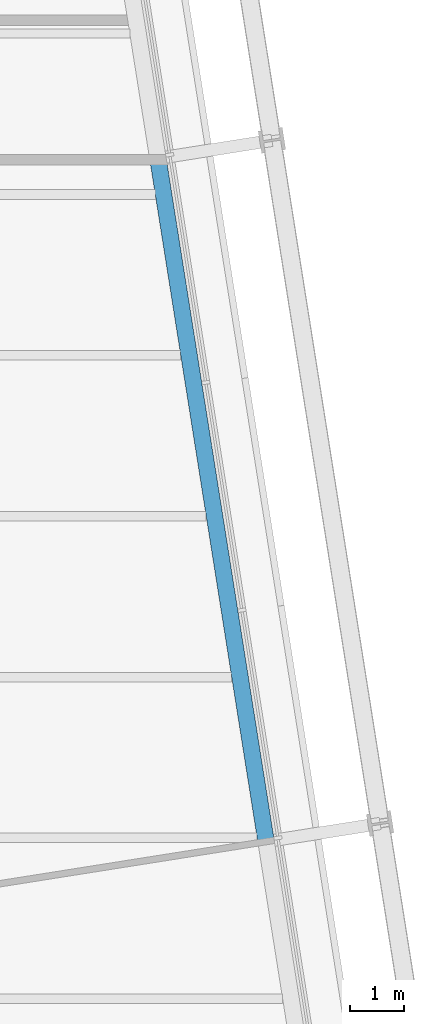
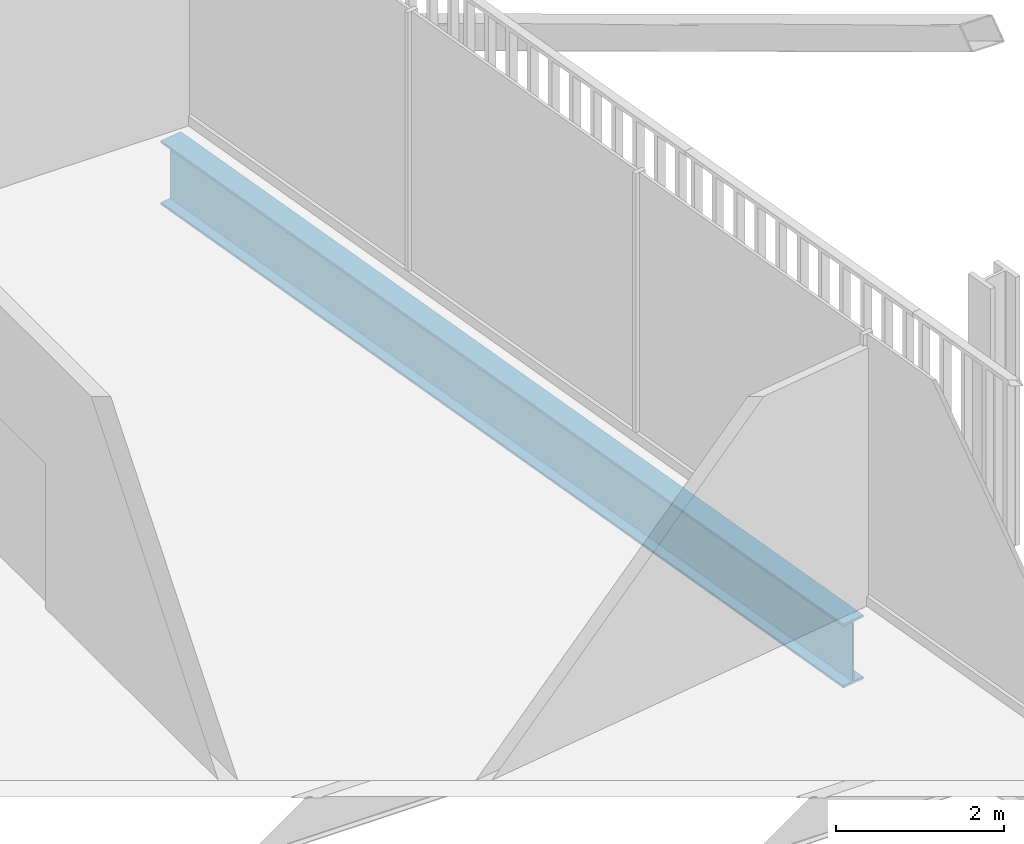
# One storey, part 9 of 22: 1 beam.
"""IFC4 building model written with IfcOpenShell, lengths in metres."""

from ifc_helpers import new_model, si_unit, direction, frame, origin, origin_2d, place, context, subcontext, project, spatial, i_section, extrude, material, material_profile, profile_set, type_object, element, save


model = new_model("IFC4")

# Units and contexts
model_context = context("Model", 3, precision=1e-05, world=origin(), true_north=direction((0.0, 1.0)))
body_context = subcontext(model_context, "Body", "Model", "MODEL_VIEW")
ifc_project = project(units=[si_unit("LENGTHUNIT", "METRE"), si_unit("AREAUNIT", "SQUARE_METRE"), si_unit("VOLUMEUNIT", "CUBIC_METRE"), si_unit("PLANEANGLEUNIT", "RADIAN"), si_unit("MASSUNIT", "GRAM", prefix="KILO")], contexts=[model_context])

# Site, building, storey
site_placement = place(None, origin())
site = spatial("IfcSite", under=ifc_project, at=site_placement, CompositionType="ELEMENT")
building_placement = place(site_placement, origin())
building = spatial("IfcBuilding", under=site, at=building_placement, Name="Millrace Tower", CompositionType="ELEMENT")
storey_placement = place(building_placement, frame((0.0, 0.0, 152.89990234375)))
storey = spatial("IfcBuildingStorey", under=building, at=storey_placement, Name="L34", CompositionType="ELEMENT", Elevation=152.89990234375)

# Beam
ifc_material = material(Name="Steel ASTM A992 Grade 50", Category="steel")
ifc_material_profile = material_profile(ifc_material, i_section(OverallWidth=0.307373046875, OverallDepth=0.927001953125, WebThickness=0.01953125, FlangeThickness=0.031982421875, FilletRadius=0.01904296875, at=origin_2d()))
ifc_profile_set = profile_set([ifc_material_profile], Name="Steel ASTM A992 Grade 50")
beam_type = type_object("IfcBeamType", Name="Ring beam medium span W36x194", PredefinedType="SPANDREL", material=ifc_profile_set)
beam_placement = place(storey_placement, frame((23.25, 9.6728515625, -0.62353515625), z_axis=(0.15642030113, -0.987690583834, 0.0), x_axis=(0.987690583834, 0.15642030113, 0.0)))
element("IfcBeam", 1, at=beam_placement, inside=storey, type_object=beam_type, Name="RNG-C-L34-S1-10", PredefinedType="SPANDREL", context=body_context, shape_type="SweptSolid", body=[
    extrude(i_section(OverallWidth=0.307373046875, OverallDepth=0.927001953125, WebThickness=0.01953125, FlangeThickness=0.031982421875, FilletRadius=0.01904296875, at=origin_2d()), origin(), (0.0, 0.0, 1.0), 12.89990234375),
])

save(model, "model.ifc")
